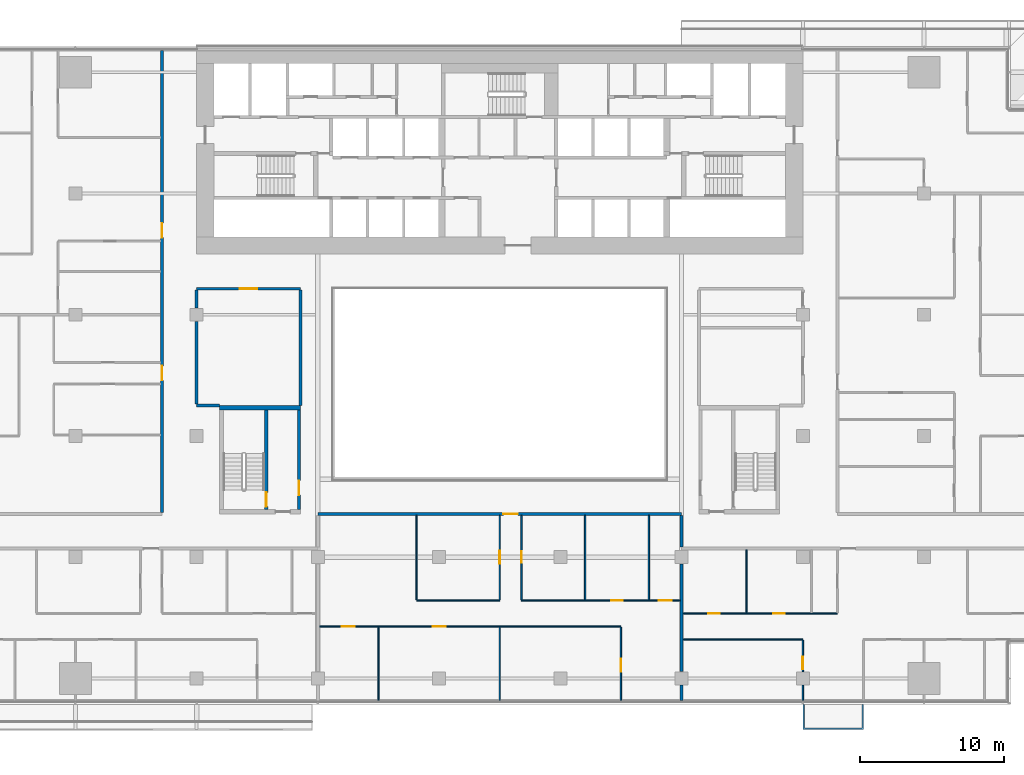
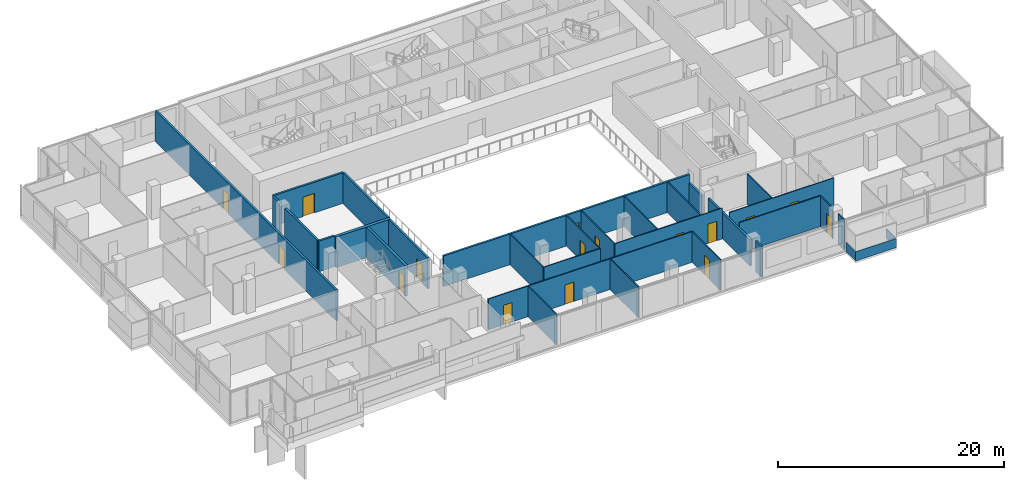
# One storey, part 18 of 29: 30 walls, 16 doors, 16 openings.
"""IFC4 building model written with IfcOpenShell, lengths in metres."""

import ifcopenshell
import ifcopenshell.guid

model = None  # the IFC model being written
_history = None  # IfcOwnerHistory: only IFC2X3 demands one
_inside = {}  # id of a spatial element -> (the spatial element, [elements in it])
_under = {}  # id of a project, library or spatial element -> (it, [spatial elements below it])
_declared = {}  # id of a project -> (the project, [libraries it declares])
_typed = {}  # id of a type object -> (the type object, [elements of that type])
_made_of = {}  # id of a material, layer set ... -> (it, [elements and type objects made of it])


def new_model(schema):
    """Start an empty IFC model of exactly this schema.

    Asked for "IFC4X3", IfcOpenShell would pick the latest addendum, in which some entities
    have other attributes; the version numbers below select the first issue.
    IFC2X3 requires an IfcOwnerHistory on every rooted entity: one is made here for all.
    """
    global model, _history
    if schema == "IFC4X3":
        model = ifcopenshell.file(schema_version=(4, 3, 0, 0))
    else:
        model = ifcopenshell.file(schema=schema)
    _inside.clear()
    _under.clear()
    _declared.clear()
    _typed.clear()
    _made_of.clear()
    _history = None
    if model.schema == "IFC2X3":
        org = make("IfcOrganization", Name="unknown")
        user = make(
            "IfcPersonAndOrganization",
            ThePerson=make("IfcPerson", FamilyName="unknown"),
            TheOrganization=org,
        )
        app = make(
            "IfcApplication",
            ApplicationDeveloper=org,
            Version="unknown",
            ApplicationFullName="unknown",
            ApplicationIdentifier="unknown",
        )
        _history = make(
            "IfcOwnerHistory",
            OwningUser=user,
            OwningApplication=app,
            ChangeAction="ADDED",
            CreationDate=0,
        )
    return model


def make(cls, **values):
    """One entity of the class cls with the attributes given. An attribute that is None is left unset."""
    return model.create_entity(
        cls, **{name: value for name, value in values.items() if value is not None}
    )


def rooted(cls, **values):
    """An entity with a GlobalId (a new one), such as an element, a storey or a relation."""
    return make(cls, GlobalId=ifcopenshell.guid.new(), OwnerHistory=_history, **values)


def si_unit(unit_type, name, prefix=None):
    """IfcSIUnit, for example si_unit("LENGTHUNIT", "METRE", prefix="MILLI")."""
    return make("IfcSIUnit", UnitType=unit_type, Prefix=prefix, Name=name)


def assignment(units):
    """IfcUnitAssignment: the units of a project."""
    return None if units is None else make("IfcUnitAssignment", Units=units)


def point(xyz):
    """IfcCartesianPoint."""
    return None if xyz is None else make("IfcCartesianPoint", Coordinates=xyz)


def direction(xyz):
    """IfcDirection."""
    return None if xyz is None else make("IfcDirection", DirectionRatios=xyz)


def frame(location, z_axis=None, x_axis=None):
    """IfcAxis2Placement3D, a coordinate frame: its origin and axes. An axis left out is left unset."""
    return make(
        "IfcAxis2Placement3D",
        Location=point(location),
        Axis=direction(z_axis),
        RefDirection=direction(x_axis),
    )


def frame_2d(location, x_axis=None):
    """IfcAxis2Placement2D, a coordinate frame in the plane: its origin and x axis."""
    return make(
        "IfcAxis2Placement2D", Location=point(location), RefDirection=direction(x_axis)
    )


def origin():
    """The frame at (0, 0, 0) with its axes left unset."""
    return frame((0.0, 0.0, 0.0))


def place(relative_to, where):
    """IfcLocalPlacement: puts the frame where relative to a parent placement (None: the world)."""
    return make(
        "IfcLocalPlacement", PlacementRelTo=relative_to, RelativePlacement=where
    )


def context(
    kind, dimensions, precision=None, world=None, true_north=None, identifier=None
):
    """IfcGeometricRepresentationContext, for example the 3D "Model" context."""
    return make(
        "IfcGeometricRepresentationContext",
        ContextIdentifier=identifier,
        ContextType=kind,
        CoordinateSpaceDimension=dimensions,
        Precision=precision,
        WorldCoordinateSystem=world,
        TrueNorth=true_north,
    )


def subcontext(parent, identifier, kind, view, scale=None):
    """IfcGeometricRepresentationSubContext, for example "Body" below "Model"."""
    return make(
        "IfcGeometricRepresentationSubContext",
        ContextIdentifier=identifier,
        ContextType=kind,
        ParentContext=parent,
        TargetScale=scale,
        TargetView=view,
    )


def project(units=None, contexts=None):
    """IfcProject with its units and contexts."""
    return rooted(
        "IfcProject",
        Name="project",
        RepresentationContexts=contexts,
        UnitsInContext=assignment(units),
    )


def spatial(cls, under=None, at=None, **own):
    """A site, building, storey or space (cls), placed at a placement, below another one or the project."""
    s = rooted(cls, ObjectPlacement=at, **own)
    if under is not None:
        _under.setdefault(under.id(), (under, []))[1].append(s)
    return s


def polyline(points):
    """IfcPolyline through the points."""
    return make("IfcPolyline", Points=[point(p) for p in points])


def profile(cls, at=None, kind="AREA", **sizes):
    """A parametric profile (cls). Its sizes go by their IFC names, for example OverallWidth=200.0."""
    return make(cls, ProfileType=kind, Position=at, **sizes)


def rectangle(**sizes):
    """IfcRectangleProfileDef."""
    return profile("IfcRectangleProfileDef", **sizes)


def outline(outer, holes=None, kind="AREA"):
    """IfcArbitraryClosedProfileDef: a profile drawn as a closed curve; with holes, ...WithVoids."""
    if holes is None:
        return make("IfcArbitraryClosedProfileDef", ProfileType=kind, OuterCurve=outer)
    return make(
        "IfcArbitraryProfileDefWithVoids",
        ProfileType=kind,
        OuterCurve=outer,
        InnerCurves=holes,
    )


def extrude(swept, where, along, depth):
    """IfcExtrudedAreaSolid: the profile swept, set in the frame where, extruded along a direction by depth."""
    return make(
        "IfcExtrudedAreaSolid",
        SweptArea=swept,
        Position=where,
        ExtrudedDirection=direction(along),
        Depth=depth,
    )


def shape(context_of_items, identifier, shape_type, items):
    """IfcShapeRepresentation: the items that make up one representation, for example the "Body"."""
    return make(
        "IfcShapeRepresentation",
        ContextOfItems=context_of_items,
        RepresentationIdentifier=identifier,
        RepresentationType=shape_type,
        Items=items,
    )


def material(Name=None, Category=None):
    """IfcMaterial."""
    return make("IfcMaterial", Name=Name, Category=Category)


def layer(
    of_material, thickness, ventilated=None, Name=None, Category=None, Priority=None
):
    """IfcMaterialLayer: one layer of a wall or slab, of a material (None: an air gap)."""
    return make(
        "IfcMaterialLayer",
        Material=of_material,
        LayerThickness=thickness,
        IsVentilated=ventilated,
        Name=Name,
        Category=Category,
        Priority=Priority,
    )


def layer_set(layers, Name=None):
    """IfcMaterialLayerSet."""
    return make("IfcMaterialLayerSet", MaterialLayers=layers, LayerSetName=Name)


def made_of(thing, what):
    """Note that an element or type object is made of a material, layer set ...; save() writes the relation."""
    if what is not None:
        _made_of.setdefault(what.id(), (what, []))[1].append(thing)
    return thing


def type_object(cls, material=None, **own):
    """A type object (cls), such as IfcWallType, which elements share."""
    return made_of(rooted(cls, **own), material)


def element(
    cls,
    number,
    at=None,
    inside=None,
    cuts=None,
    type_object=None,
    material=None,
    context=None,
    identifier="Body",
    shape_type=None,
    held_by="IfcProductDefinitionShape",
    body=None,
    shapes=None,
    **own,
):
    """One element of the class cls, such as IfcWall. Its Tag is "e" and its number.

    at: its placement. inside: the storey or other place that contains it. cuts: it is an
    opening in that element (IfcRelVoidsElement). A single representation is given by context,
    identifier, shape_type and body (its items); several are given by shapes. held_by: the class
    of the entity that holds the representations. save() writes the other relations.
    """
    e = rooted(cls, Tag="e%d" % number, ObjectPlacement=at, **own)
    if body is not None:
        shapes = [shape(context, identifier, shape_type, body)]
    if shapes is not None:
        e.Representation = make(held_by, Representations=shapes)
    if inside is not None:
        _inside.setdefault(inside.id(), (inside, []))[1].append(e)
    if cuts is not None:
        rooted(
            "IfcRelVoidsElement", RelatingBuildingElement=cuts, RelatedOpeningElement=e
        )
    if type_object is not None:
        _typed.setdefault(type_object.id(), (type_object, []))[1].append(e)
    return made_of(e, material)


def fill(opening, filler):
    """IfcRelFillsElement: the door or window that sits in an opening."""
    return rooted(
        "IfcRelFillsElement",
        RelatingOpeningElement=opening,
        RelatedBuildingElement=filler,
    )


def aggregate(whole, parts):
    """IfcRelAggregates: a whole, such as a stair, and the parts it consists of."""
    return rooted("IfcRelAggregates", RelatingObject=whole, RelatedObjects=parts)


def save(model, path):
    """Write the relations noted so far, then the file.

    IfcRelAggregates (storeys below a building ...), IfcRelContainedInSpatialStructure (elements
    in a storey), IfcRelDefinesByType, IfcRelAssociatesMaterial and IfcRelDeclares: one each for
    every whole, place, type object, material and project.
    """
    for whole, parts in _under.values():
        aggregate(whole, parts)
    for where, things in _inside.values():
        rooted(
            "IfcRelContainedInSpatialStructure",
            RelatedElements=things,
            RelatingStructure=where,
        )
    for kind, things in _typed.values():
        rooted("IfcRelDefinesByType", RelatedObjects=things, RelatingType=kind)
    for what, things in _made_of.values():
        rooted("IfcRelAssociatesMaterial", RelatedObjects=things, RelatingMaterial=what)
    for by, libraries in _declared.values():
        rooted("IfcRelDeclares", RelatingContext=by, RelatedDefinitions=libraries)
    model.write(path)


model = new_model("IFC4")

# Units and contexts
model_context = context("Model", 3, precision=1e-05, world=origin(), true_north=direction((0.0, 1.0)))
body_context = subcontext(model_context, "Body", "Model", "MODEL_VIEW")
ifc_project = project(units=[si_unit("LENGTHUNIT", "METRE"), si_unit("AREAUNIT", "SQUARE_METRE"), si_unit("VOLUMEUNIT", "CUBIC_METRE"), si_unit("PLANEANGLEUNIT", "RADIAN"), si_unit("MASSUNIT", "GRAM", prefix="KILO")], contexts=[model_context])

# Site, building, storey
site_placement = place(None, origin())
site = spatial("IfcSite", under=ifc_project, at=site_placement, CompositionType="ELEMENT")
building_placement = place(site_placement, origin())
building = spatial("IfcBuilding", under=site, at=building_placement, Name="Saffron Gate Tower", CompositionType="ELEMENT")
storey_placement = place(building_placement, frame((0.0, 0.0, 58.800048828125)))
storey = spatial("IfcBuildingStorey", under=building, at=storey_placement, Name="L13", CompositionType="ELEMENT", Elevation=58.800048828125)

# Wall, opening, door
ifc_material_1 = material(Name="Gypsum board partition on steel studs", Category="steel")
ifc_layer_1 = layer(ifc_material_1, 0.199951171875)
ifc_layer_set_1 = layer_set([ifc_layer_1], Name="CW10 Core partition 200")
wall_type_1 = type_object("IfcWallType", Name="CW10 Core partition 200", PredefinedType="PARTITIONING", material=ifc_layer_set_1)
wall_1_placement = place(storey_placement, frame((73.699951171875, 43.5, 0.0), z_axis=(0.0, 0.0, 1.0), x_axis=(0.0, 1.0, 0.0)))
wall_1 = element("IfcWall", 1, at=wall_1_placement, inside=storey, type_object=wall_type_1, Name="Wall CW10-L13-D-4", PredefinedType="PARTITIONING", context=body_context, shape_type="SweptSolid", body=[
    extrude(rectangle(XDim=6.89990234375, YDim=0.199951171875, at=frame_2d((3.449951171875, 0.0))), origin(), (0.0, 0.0, 1.0), 3.320068359375),
])
opening_1_placement = place(wall_1_placement, frame((1.0, 0.0, 0.0)))
opening_1 = element("IfcOpeningElement", 2, at=opening_1_placement, cuts=wall_1, Name="Opening CR-19", PredefinedType="OPENING", context=body_context, shape_type="SweptSolid", body=[
    extrude(rectangle(XDim=1.0, YDim=2.10009765625, at=frame_2d((0.5, 1.050048828125))), frame((0.0, 0.10986328125, 0.0), z_axis=(0.0, -1.0, 0.0), x_axis=(1.0, 0.0, 0.0)), (0.0, 0.0, 1.0), 0.219970703125),
])
ifc_material_2 = material(Name="Steel fire door set", Category="steel")
door_type_1 = type_object("IfcDoorType", Name="CD4 Lobby door 1000x2100 EI 120", OperationType="NOTDEFINED", PredefinedType="DOOR", material=ifc_material_2)
door_1_placement = place(opening_1_placement, origin())
door_1 = element("IfcDoor", 3, at=door_1_placement, inside=storey, type_object=door_type_1, Name="DOOR CR-19", OperationType="SINGLE_SWING_RIGHT", OverallHeight=2.10009765625, OverallWidth=1.0, PredefinedType="DOOR", context=body_context, shape_type="SweptSolid", body=[
    extrude(rectangle(XDim=1.0, YDim=2.10009765625, at=frame_2d((0.5, 1.050048828125))), frame((0.0, 0.02490234375, 0.0), z_axis=(0.0, -1.0, 0.0), x_axis=(1.0, 0.0, 0.0)), (0.0, 0.0, 1.0), 0.050048828125),
])
fill(opening_1, door_1)

ifc_material_3 = material(Name="Concrete C70", Category="concrete")
ifc_layer_2 = layer(ifc_material_3, 0.25)
ifc_layer_set_2 = layer_set([ifc_layer_2], Name="CW2 RC core wall 250 C70")
wall_type_2 = type_object("IfcWallType", Name="CW2 RC core wall 250 C70", PredefinedType="SOLIDWALL", material=ifc_layer_set_2)
wall_2_placement = place(storey_placement, frame((71.425048828125, 43.5, 0.0), z_axis=(0.0, 0.0, 1.0), x_axis=(0.0, 1.0, 0.0)))
wall_2 = element("IfcWall", 4, at=wall_2_placement, inside=storey, type_object=wall_type_2, Name="Wall CW2-L13-D-3", PredefinedType="SOLIDWALL", context=body_context, shape_type="SweptSolid", body=[
    extrude(rectangle(XDim=6.89990234375, YDim=0.25, at=frame_2d((3.449951171875, 0.0))), origin(), (0.0, 0.0, 1.0), 3.320068359375),
])
opening_2_placement = place(wall_2_placement, frame((0.199951171875, 0.0, 0.0)))
opening_2 = element("IfcOpeningElement", 5, at=opening_2_placement, cuts=wall_2, Name="Opening CR-20", PredefinedType="OPENING", context=body_context, shape_type="SweptSolid", body=[
    extrude(rectangle(XDim=1.0, YDim=2.10009765625, at=frame_2d((0.5, 1.050048828125))), frame((0.0, 0.135009765625, 0.0), z_axis=(0.0, -1.0, 0.0), x_axis=(1.0, 0.0, 0.0)), (0.0, 0.0, 1.0), 0.27001953125),
])
door_type_2 = type_object("IfcDoorType", Name="CD5 Stair door 1000x2100 EI 120", OperationType="NOTDEFINED", PredefinedType="DOOR", material=ifc_material_2)
door_2_placement = place(opening_2_placement, origin())
door_2 = element("IfcDoor", 6, at=door_2_placement, inside=storey, type_object=door_type_2, Name="DOOR CR-20", OperationType="SINGLE_SWING_LEFT", OverallHeight=2.10009765625, OverallWidth=1.0, PredefinedType="DOOR", context=body_context, shape_type="SweptSolid", body=[
    extrude(rectangle(XDim=1.0, YDim=2.10009765625, at=frame_2d((0.5, 1.050048828125))), frame((0.0, 0.02490234375, 0.0), z_axis=(0.0, -1.0, 0.0), x_axis=(1.0, 0.0, 0.0)), (0.0, 0.0, 1.0), 0.050048828125),
])
fill(opening_2, door_2)

# Walls
ifc_layer_3 = layer(ifc_material_3, 0.300048828125)
ifc_layer_set_3 = layer_set([ifc_layer_3], Name="CW5 RC core wall 300 C70")
wall_type_3 = type_object("IfcWallType", Name="CW5 RC core wall 300 C70", PredefinedType="SOLIDWALL", material=ifc_layer_set_3)
wall_3_placement = place(storey_placement, frame((68.199951171875, 50.550048828125, 0.0), z_axis=(0.0, 0.0, 1.0), x_axis=(1.0, 0.0, 0.0)))
element("IfcWall", 7, at=wall_3_placement, inside=storey, type_object=wall_type_3, Name="Wall CW5-L13-D-5", PredefinedType="SOLIDWALL", context=body_context, shape_type="SweptSolid", body=[
    extrude(rectangle(XDim=5.60009765625, YDim=0.300048828125, at=frame_2d((2.800048828125, 0.0))), origin(), (0.0, 0.0, 1.0), 3.320068359375),
])
ifc_material_4 = material(Name="Plasterboard on steel studs", Category="steel")
ifc_layer_4 = layer(ifc_material_4, 0.10009765625)
ifc_layer_set_4 = layer_set([ifc_layer_4], Name="PW1 Partition 100")
wall_type_4 = type_object("IfcWallType", Name="PW1 Partition 100", PredefinedType="PARTITIONING", material=ifc_layer_set_4)
wall_4_placement = place(storey_placement, frame((100.300048828125, 34.5, 0.0), z_axis=(0.0, 0.0, 1.0), x_axis=(1.0, 0.0, 0.0)))
element("IfcWall", 8, at=wall_4_placement, inside=storey, type_object=wall_type_4, Name="Partition A3-2", PredefinedType="PARTITIONING", context=body_context, shape_type="SweptSolid", body=[
    extrude(rectangle(XDim=8.300048828125, YDim=0.10009765625, at=frame_2d((4.14990234375, 0.0))), origin(), (0.0, 0.0, 1.0), 3.320068359375),
])

# Wall, openings, doors
wall_5_placement = place(storey_placement, frame((96.0, 35.39990234375, 0.0), z_axis=(0.0, 0.0, 1.0), x_axis=(-1.0, 0.0, 0.0)))
wall_5 = element("IfcWall", 9, at=wall_5_placement, inside=storey, type_object=wall_type_4, Name="Partition A3-4", PredefinedType="PARTITIONING", context=body_context, shape_type="SweptSolid", body=[
    extrude(rectangle(XDim=20.89990234375, YDim=0.10009765625, at=frame_2d((10.449951171875, 0.0))), origin(), (0.0, 0.0, 1.0), 3.320068359375),
])
opening_3_placement = place(wall_5_placement, frame((12.14990234375, 0.0, 0.0)))
opening_3 = element("IfcOpeningElement", 10, at=opening_3_placement, cuts=wall_5, Name="Opening A3-15", PredefinedType="OPENING", context=body_context, shape_type="SweptSolid", body=[
    extrude(rectangle(XDim=0.89990234375, YDim=2.10009765625, at=frame_2d((0.449951171875, 1.050048828125))), frame((0.0, 0.06005859375, 0.0), z_axis=(0.0, -1.0, 0.0), x_axis=(1.0, 0.0, 0.0)), (0.0, 0.0, 1.0), 0.1201171875),
])
opening_4_placement = place(wall_5_placement, frame((18.449951171875, 0.0, 0.0)))
opening_4 = element("IfcOpeningElement", 11, at=opening_4_placement, cuts=wall_5, Name="Opening A3-14", PredefinedType="OPENING", context=body_context, shape_type="SweptSolid", body=[
    extrude(rectangle(XDim=0.89990234375, YDim=2.10009765625, at=frame_2d((0.449951171875, 1.050048828125))), frame((0.0, 0.06005859375, 0.0), z_axis=(0.0, -1.0, 0.0), x_axis=(1.0, 0.0, 0.0)), (0.0, 0.0, 1.0), 0.1201171875),
])
ifc_material_5 = material(Name="Timber door set", Category="wood")
door_type_3 = type_object("IfcDoorType", Name="RD1 Room door 900x2100", OperationType="NOTDEFINED", PredefinedType="DOOR", material=ifc_material_5)
door_3_placement = place(opening_3_placement, origin())
door_3 = element("IfcDoor", 12, at=door_3_placement, inside=storey, type_object=door_type_3, Name="Door A3-15", OperationType="SINGLE_SWING_LEFT", OverallHeight=2.10009765625, OverallWidth=0.89990234375, PredefinedType="DOOR", context=body_context, shape_type="SweptSolid", body=[
    extrude(rectangle(XDim=0.89990234375, YDim=2.10009765625, at=frame_2d((0.449951171875, 1.050048828125))), frame((0.0, 0.02490234375, 0.0), z_axis=(0.0, -1.0, 0.0), x_axis=(1.0, 0.0, 0.0)), (0.0, 0.0, 1.0), 0.050048828125),
])
fill(opening_3, door_3)
door_4_placement = place(opening_4_placement, origin())
door_4 = element("IfcDoor", 13, at=door_4_placement, inside=storey, type_object=door_type_3, Name="Door A3-14", OperationType="SINGLE_SWING_RIGHT", OverallHeight=2.10009765625, OverallWidth=0.89990234375, PredefinedType="DOOR", context=body_context, shape_type="SweptSolid", body=[
    extrude(rectangle(XDim=0.89990234375, YDim=2.10009765625, at=frame_2d((0.449951171875, 1.050048828125))), frame((0.0, 0.02490234375, 0.0), z_axis=(0.0, -1.0, 0.0), x_axis=(1.0, 0.0, 0.0)), (0.0, 0.0, 1.0), 0.050048828125),
])
fill(opening_4, door_4)

wall_6_placement = place(storey_placement, frame((100.300048828125, 36.300048828125, 0.0), z_axis=(0.0, 0.0, 1.0), x_axis=(1.0, 0.0, 0.0)))
wall_6 = element("IfcWall", 14, at=wall_6_placement, inside=storey, type_object=wall_type_4, Name="Partition A3-7", PredefinedType="PARTITIONING", context=body_context, shape_type="SweptSolid", body=[
    extrude(rectangle(XDim=10.699951171875, YDim=0.10009765625, at=frame_2d((5.35009765625, 0.0))), origin(), (0.0, 0.0, 1.0), 3.320068359375),
])
opening_5_placement = place(wall_6_placement, frame((1.75, 0.0, 0.0)))
opening_5 = element("IfcOpeningElement", 15, at=opening_5_placement, cuts=wall_6, Name="Opening A3-41", PredefinedType="OPENING", context=body_context, shape_type="SweptSolid", body=[
    extrude(rectangle(XDim=0.800048828125, YDim=2.10009765625, at=frame_2d((0.39990234375, 1.050048828125))), frame((0.0, 0.06005859375, 0.0), z_axis=(0.0, -1.0, 0.0), x_axis=(1.0, 0.0, 0.0)), (0.0, 0.0, 1.0), 0.1201171875),
])
opening_6_placement = place(wall_6_placement, frame((6.25, 0.0, 0.0)))
opening_6 = element("IfcOpeningElement", 16, at=opening_6_placement, cuts=wall_6, Name="Opening A3-42", PredefinedType="OPENING", context=body_context, shape_type="SweptSolid", body=[
    extrude(rectangle(XDim=0.800048828125, YDim=2.10009765625, at=frame_2d((0.39990234375, 1.050048828125))), frame((0.0, 0.06005859375, 0.0), z_axis=(0.0, -1.0, 0.0), x_axis=(1.0, 0.0, 0.0)), (0.0, 0.0, 1.0), 0.1201171875),
])
door_type_4 = type_object("IfcDoorType", Name="RD2 Bathroom door 800x2100", OperationType="NOTDEFINED", PredefinedType="DOOR", material=ifc_material_5)
door_5_placement = place(opening_5_placement, origin())
door_5 = element("IfcDoor", 17, at=door_5_placement, inside=storey, type_object=door_type_4, Name="Door A3-41", OperationType="SINGLE_SWING_LEFT", OverallHeight=2.10009765625, OverallWidth=0.800048828125, PredefinedType="DOOR", context=body_context, shape_type="SweptSolid", body=[
    extrude(rectangle(XDim=0.800048828125, YDim=2.10009765625, at=frame_2d((0.39990234375, 1.050048828125))), frame((0.0, 0.02490234375, 0.0), z_axis=(0.0, -1.0, 0.0), x_axis=(1.0, 0.0, 0.0)), (0.0, 0.0, 1.0), 0.050048828125),
])
fill(opening_5, door_5)
door_6_placement = place(opening_6_placement, origin())
door_6 = element("IfcDoor", 18, at=door_6_placement, inside=storey, type_object=door_type_4, Name="Door A3-42", OperationType="SINGLE_SWING_RIGHT", OverallHeight=2.10009765625, OverallWidth=0.800048828125, PredefinedType="DOOR", context=body_context, shape_type="SweptSolid", body=[
    extrude(rectangle(XDim=0.800048828125, YDim=2.10009765625, at=frame_2d((0.39990234375, 1.050048828125))), frame((0.0, 0.02490234375, 0.0), z_axis=(0.0, -1.0, 0.0), x_axis=(1.0, 0.0, 0.0)), (0.0, 0.0, 1.0), 0.050048828125),
])
fill(opening_6, door_6)

# Wall
wall_7_placement = place(storey_placement, frame((81.833251953125, 37.199951171875, 0.0), z_axis=(0.0, 0.0, 1.0), x_axis=(1.0, 0.0, 0.0)))
element("IfcWall", 19, at=wall_7_placement, inside=storey, type_object=wall_type_4, Name="Partition A3-9", PredefinedType="PARTITIONING", context=body_context, shape_type="SweptSolid", body=[
    extrude(rectangle(XDim=5.766845703125, YDim=0.10009765625, at=frame_2d((2.88330078125, 0.0))), origin(), (0.0, 0.0, 1.0), 3.320068359375),
])

# Wall, openings, doors
wall_8_placement = place(storey_placement, frame((89.10009765625, 37.199951171875, 0.0), z_axis=(0.0, 0.0, 1.0), x_axis=(1.0, 0.0, 0.0)))
wall_8 = element("IfcWall", 20, at=wall_8_placement, inside=storey, type_object=wall_type_4, Name="Partition A3-10", PredefinedType="PARTITIONING", context=body_context, shape_type="SweptSolid", body=[
    extrude(rectangle(XDim=11.0, YDim=0.10009765625, at=frame_2d((5.5, 0.0))), origin(), (0.0, 0.0, 1.0), 3.320068359375),
])
opening_7_placement = place(wall_8_placement, frame((6.22509765625, 0.0, 0.0)))
opening_7 = element("IfcOpeningElement", 21, at=opening_7_placement, cuts=wall_8, Name="Opening A3-40", PredefinedType="OPENING", context=body_context, shape_type="SweptSolid", body=[
    extrude(rectangle(XDim=0.800048828125, YDim=2.10009765625, at=frame_2d((0.39990234375, 1.050048828125))), frame((0.0, 0.06005859375, 0.0), z_axis=(0.0, -1.0, 0.0), x_axis=(1.0, 0.0, 0.0)), (0.0, 0.0, 1.0), 0.1201171875),
])
opening_8_placement = place(wall_8_placement, frame((9.5166015625, 0.0, 0.0)))
opening_8 = element("IfcOpeningElement", 22, at=opening_8_placement, cuts=wall_8, Name="Opening A3-18", PredefinedType="OPENING", context=body_context, shape_type="SweptSolid", body=[
    extrude(rectangle(XDim=0.89990234375, YDim=2.10009765625, at=frame_2d((0.449951171875, 1.050048828125))), frame((0.0, 0.06005859375, 0.0), z_axis=(0.0, -1.0, 0.0), x_axis=(1.0, 0.0, 0.0)), (0.0, 0.0, 1.0), 0.1201171875),
])
door_7_placement = place(opening_8_placement, origin())
door_7 = element("IfcDoor", 23, at=door_7_placement, inside=storey, type_object=door_type_3, Name="Door A3-18", OperationType="SINGLE_SWING_RIGHT", OverallHeight=2.10009765625, OverallWidth=0.89990234375, PredefinedType="DOOR", context=body_context, shape_type="SweptSolid", body=[
    extrude(rectangle(XDim=0.89990234375, YDim=2.10009765625, at=frame_2d((0.449951171875, 1.050048828125))), frame((0.0, 0.02490234375, 0.0), z_axis=(0.0, -1.0, 0.0), x_axis=(1.0, 0.0, 0.0)), (0.0, 0.0, 1.0), 0.050048828125),
])
fill(opening_8, door_7)
door_8_placement = place(opening_7_placement, origin())
door_8 = element("IfcDoor", 24, at=door_8_placement, inside=storey, type_object=door_type_4, Name="Door A3-40", OperationType="SINGLE_SWING_RIGHT", OverallHeight=2.10009765625, OverallWidth=0.800048828125, PredefinedType="DOOR", context=body_context, shape_type="SweptSolid", body=[
    extrude(rectangle(XDim=0.800048828125, YDim=2.10009765625, at=frame_2d((0.39990234375, 1.050048828125))), frame((0.0, 0.02490234375, 0.0), z_axis=(0.0, -1.0, 0.0), x_axis=(1.0, 0.0, 0.0)), (0.0, 0.0, 1.0), 0.050048828125),
])
fill(opening_7, door_8)

# Walls
wall_9_placement = place(storey_placement, frame((79.199951171875, 35.35009765625, 0.0), z_axis=(0.0, 0.0, 1.0), x_axis=(0.0, -1.0, 0.0)))
element("IfcWall", 25, at=wall_9_placement, inside=storey, type_object=wall_type_4, Name="Partition A3-74", PredefinedType="PARTITIONING", context=body_context, shape_type="SweptSolid", body=[
    extrude(rectangle(XDim=5.070068359375, YDim=0.10009765625, at=frame_2d((2.53515625, 0.0))), origin(), (0.0, 0.0, 1.0), 3.320068359375),
])
wall_10_placement = place(storey_placement, frame((81.833251953125, 43.10009765625, 0.0), z_axis=(0.0, 0.0, 1.0), x_axis=(0.0, -1.0, 0.0)))
element("IfcWall", 26, at=wall_10_placement, inside=storey, type_object=wall_type_4, Name="Partition A3-75", PredefinedType="PARTITIONING", context=body_context, shape_type="SweptSolid", body=[
    extrude(rectangle(XDim=5.85009765625, YDim=0.10009765625, at=frame_2d((2.925048828125, 0.0))), origin(), (0.0, 0.0, 1.0), 3.320068359375),
])
wall_11_placement = place(storey_placement, frame((87.60009765625, 35.35009765625, 0.0), z_axis=(0.0, 0.0, 1.0), x_axis=(0.0, -1.0, 0.0)))
element("IfcWall", 27, at=wall_11_placement, inside=storey, type_object=wall_type_4, Name="Partition A3-76", PredefinedType="PARTITIONING", context=body_context, shape_type="SweptSolid", body=[
    extrude(rectangle(XDim=5.070068359375, YDim=0.10009765625, at=frame_2d((2.53515625, 0.0))), origin(), (0.0, 0.0, 1.0), 3.320068359375),
])

# Wall, opening, door
wall_12_placement = place(storey_placement, frame((87.60009765625, 37.25, 0.0), z_axis=(0.0, 0.0, 1.0), x_axis=(0.0, 1.0, 0.0)))
wall_12 = element("IfcWall", 28, at=wall_12_placement, inside=storey, type_object=wall_type_4, Name="Partition A3-77", PredefinedType="PARTITIONING", context=body_context, shape_type="SweptSolid", body=[
    extrude(rectangle(XDim=5.85009765625, YDim=0.10009765625, at=frame_2d((2.925048828125, 0.0))), origin(), (0.0, 0.0, 1.0), 3.320068359375),
])
opening_9_placement = place(wall_12_placement, frame((2.5, 0.0, 0.0)))
opening_9 = element("IfcOpeningElement", 29, at=opening_9_placement, cuts=wall_12, Name="Opening A3-17", PredefinedType="OPENING", context=body_context, shape_type="SweptSolid", body=[
    extrude(rectangle(XDim=0.89990234375, YDim=2.10009765625, at=frame_2d((0.449951171875, 1.050048828125))), frame((0.0, 0.06005859375, 0.0), z_axis=(0.0, -1.0, 0.0), x_axis=(1.0, 0.0, 0.0)), (0.0, 0.0, 1.0), 0.1201171875),
])
door_9_placement = place(opening_9_placement, origin())
door_9 = element("IfcDoor", 30, at=door_9_placement, inside=storey, type_object=door_type_3, Name="Door A3-17", OperationType="SINGLE_SWING_RIGHT", OverallHeight=2.10009765625, OverallWidth=0.89990234375, PredefinedType="DOOR", context=body_context, shape_type="SweptSolid", body=[
    extrude(rectangle(XDim=0.89990234375, YDim=2.10009765625, at=frame_2d((0.449951171875, 1.050048828125))), frame((0.0, 0.02490234375, 0.0), z_axis=(0.0, -1.0, 0.0), x_axis=(1.0, 0.0, 0.0)), (0.0, 0.0, 1.0), 0.050048828125),
])
fill(opening_9, door_9)

wall_13_placement = place(storey_placement, frame((89.10009765625, 43.10009765625, 0.0), z_axis=(0.0, 0.0, 1.0), x_axis=(0.0, -1.0, 0.0)))
wall_13 = element("IfcWall", 31, at=wall_13_placement, inside=storey, type_object=wall_type_4, Name="Partition A3-78", PredefinedType="PARTITIONING", context=body_context, shape_type="SweptSolid", body=[
    extrude(rectangle(XDim=5.85009765625, YDim=0.10009765625, at=frame_2d((2.925048828125, 0.0))), origin(), (0.0, 0.0, 1.0), 3.320068359375),
])
opening_10_placement = place(wall_13_placement, frame((2.5, 0.0, 0.0)))
opening_10 = element("IfcOpeningElement", 32, at=opening_10_placement, cuts=wall_13, Name="Opening A3-39", PredefinedType="OPENING", context=body_context, shape_type="SweptSolid", body=[
    extrude(rectangle(XDim=0.800048828125, YDim=2.10009765625, at=frame_2d((0.39990234375, 1.050048828125))), frame((0.0, 0.06005859375, 0.0), z_axis=(0.0, -1.0, 0.0), x_axis=(1.0, 0.0, 0.0)), (0.0, 0.0, 1.0), 0.1201171875),
])
door_10_placement = place(opening_10_placement, origin())
door_10 = element("IfcDoor", 33, at=door_10_placement, inside=storey, type_object=door_type_4, Name="Door A3-39", OperationType="SINGLE_SWING_LEFT", OverallHeight=2.10009765625, OverallWidth=0.800048828125, PredefinedType="DOOR", context=body_context, shape_type="SweptSolid", body=[
    extrude(rectangle(XDim=0.800048828125, YDim=2.10009765625, at=frame_2d((0.39990234375, 1.050048828125))), frame((0.0, 0.02490234375, 0.0), z_axis=(0.0, -1.0, 0.0), x_axis=(1.0, 0.0, 0.0)), (0.0, 0.0, 1.0), 0.050048828125),
])
fill(opening_10, door_10)

# Wall
wall_14_placement = place(storey_placement, frame((93.5166015625, 43.10009765625, 0.0), z_axis=(0.0, 0.0, 1.0), x_axis=(0.0, -1.0, 0.0)))
element("IfcWall", 34, at=wall_14_placement, inside=storey, type_object=wall_type_4, Name="Partition A3-79", PredefinedType="PARTITIONING", context=body_context, shape_type="SweptSolid", body=[
    extrude(rectangle(XDim=5.85009765625, YDim=0.10009765625, at=frame_2d((2.925048828125, 0.0))), origin(), (0.0, 0.0, 1.0), 3.320068359375),
])

# Wall, opening, door
wall_15_placement = place(storey_placement, frame((96.0, 30.280029296875, 0.0), z_axis=(0.0, 0.0, 1.0), x_axis=(0.0, 1.0, 0.0)))
wall_15 = element("IfcWall", 35, at=wall_15_placement, inside=storey, type_object=wall_type_4, Name="Partition A3-80", PredefinedType="PARTITIONING", context=body_context, shape_type="SweptSolid", body=[
    extrude(rectangle(XDim=5.070068359375, YDim=0.10009765625, at=frame_2d((2.53515625, 0.0))), origin(), (0.0, 0.0, 1.0), 3.320068359375),
])
opening_11_placement = place(wall_15_placement, frame((1.969970703125, 0.0, 0.0)))
opening_11 = element("IfcOpeningElement", 36, at=opening_11_placement, cuts=wall_15, Name="Opening A3-16", PredefinedType="OPENING", context=body_context, shape_type="SweptSolid", body=[
    extrude(rectangle(XDim=0.89990234375, YDim=2.10009765625, at=frame_2d((0.449951171875, 1.050048828125))), frame((0.0, 0.06005859375, 0.0), z_axis=(0.0, -1.0, 0.0), x_axis=(1.0, 0.0, 0.0)), (0.0, 0.0, 1.0), 0.1201171875),
])
door_11_placement = place(opening_11_placement, origin())
door_11 = element("IfcDoor", 37, at=door_11_placement, inside=storey, type_object=door_type_3, Name="Door A3-16", OperationType="SINGLE_SWING_LEFT", OverallHeight=2.10009765625, OverallWidth=0.89990234375, PredefinedType="DOOR", context=body_context, shape_type="SweptSolid", body=[
    extrude(rectangle(XDim=0.89990234375, YDim=2.10009765625, at=frame_2d((0.449951171875, 1.050048828125))), frame((0.0, 0.02490234375, 0.0), z_axis=(0.0, -1.0, 0.0), x_axis=(1.0, 0.0, 0.0)), (0.0, 0.0, 1.0), 0.050048828125),
])
fill(opening_11, door_11)

# Walls
wall_16_placement = place(storey_placement, frame((97.933349609375, 43.10009765625, 0.0), z_axis=(0.0, 0.0, 1.0), x_axis=(0.0, -1.0, 0.0)))
element("IfcWall", 38, at=wall_16_placement, inside=storey, type_object=wall_type_4, Name="Partition A3-81", PredefinedType="PARTITIONING", context=body_context, shape_type="SweptSolid", body=[
    extrude(rectangle(XDim=5.85009765625, YDim=0.10009765625, at=frame_2d((2.925048828125, 0.0))), origin(), (0.0, 0.0, 1.0), 3.320068359375),
])
wall_17_placement = place(storey_placement, frame((104.699951171875, 40.699951171875, 0.0), z_axis=(0.0, 0.0, 1.0), x_axis=(0.0, -1.0, 0.0)))
element("IfcWall", 39, at=wall_17_placement, inside=storey, type_object=wall_type_4, Name="Partition A3-86", PredefinedType="PARTITIONING", context=body_context, shape_type="SweptSolid", body=[
    extrude(rectangle(XDim=4.349853515625, YDim=0.10009765625, at=frame_2d((2.1748046875, 0.0))), origin(), (0.0, 0.0, 1.0), 3.320068359375),
])
wall_18_placement = place(storey_placement, frame((108.60009765625, 31.330078125, 0.0), z_axis=(0.0, 0.0, 1.0), x_axis=(0.0, -1.0, 0.0)))
element("IfcWall", 40, at=wall_18_placement, inside=storey, type_object=wall_type_4, Name="Partition A3-89", PredefinedType="PARTITIONING", context=body_context, shape_type="SweptSolid", body=[
    extrude(rectangle(XDim=1.050048828125, YDim=0.10009765625, at=frame_2d((0.52490234375, 0.0))), origin(), (0.0, 0.0, 1.0), 3.320068359375),
])

# Wall, opening, door
wall_19_placement = place(storey_placement, frame((108.60009765625, 32.27001953125, 0.0), z_axis=(0.0, 0.0, 1.0), x_axis=(0.0, 1.0, 0.0)))
wall_19 = element("IfcWall", 41, at=wall_19_placement, inside=storey, type_object=wall_type_4, Name="Partition A3-90", PredefinedType="PARTITIONING", context=body_context, shape_type="SweptSolid", body=[
    extrude(rectangle(XDim=2.179931640625, YDim=0.10009765625, at=frame_2d((1.08984375, 0.0))), origin(), (0.0, 0.0, 1.0), 3.320068359375),
])
opening_12_placement = place(wall_19_placement, frame((0.14990234375, 0.0, 0.0)))
opening_12 = element("IfcOpeningElement", 42, at=opening_12_placement, cuts=wall_19, Name="Opening A3-19", PredefinedType="OPENING", context=body_context, shape_type="SweptSolid", body=[
    extrude(rectangle(XDim=0.89990234375, YDim=2.10009765625, at=frame_2d((0.449951171875, 1.050048828125))), frame((0.0, 0.06005859375, 0.0), z_axis=(0.0, -1.0, 0.0), x_axis=(1.0, 0.0, 0.0)), (0.0, 0.0, 1.0), 0.1201171875),
])
door_12_placement = place(opening_12_placement, origin())
door_12 = element("IfcDoor", 43, at=door_12_placement, inside=storey, type_object=door_type_3, Name="Door A3-19", OperationType="SINGLE_SWING_LEFT", OverallHeight=2.10009765625, OverallWidth=0.89990234375, PredefinedType="DOOR", context=body_context, shape_type="SweptSolid", body=[
    extrude(rectangle(XDim=0.89990234375, YDim=2.10009765625, at=frame_2d((0.449951171875, 1.050048828125))), frame((0.0, 0.02490234375, 0.0), z_axis=(0.0, -1.0, 0.0), x_axis=(1.0, 0.0, 0.0)), (0.0, 0.0, 1.0), 0.050048828125),
])
fill(opening_12, door_12)

# Walls
ifc_material_6 = material(Name="Clay brick masonry, rendered", Category="masonry")
ifc_layer_5 = layer(ifc_material_6, 0.199951171875)
ifc_layer_set_5 = layer_set([ifc_layer_5], Name="PW2 Demising wall 200")
wall_type_5 = type_object("IfcWallType", Name="PW2 Demising wall 200", PredefinedType="PARTITIONING", material=ifc_layer_set_5)
wall_20_placement = place(storey_placement, frame((100.199951171875, 31.330078125, 0.0), z_axis=(0.0, 0.0, 1.0), x_axis=(0.0, -1.0, 0.0)))
element("IfcWall", 44, at=wall_20_placement, inside=storey, type_object=wall_type_5, Name="Wall A3-83", PredefinedType="PARTITIONING", context=body_context, shape_type="SweptSolid", body=[
    extrude(rectangle(XDim=1.050048828125, YDim=0.199951171875, at=frame_2d((0.52490234375, 0.0))), origin(), (0.0, 0.0, 1.0), 3.320068359375),
])
wall_21_placement = place(storey_placement, frame((100.199951171875, 39.72998046875, 0.0), z_axis=(0.0, 0.0, 1.0), x_axis=(0.0, -1.0, 0.0)))
element("IfcWall", 45, at=wall_21_placement, inside=storey, type_object=wall_type_5, Name="Wall A3-84", PredefinedType="PARTITIONING", context=body_context, shape_type="SweptSolid", body=[
    extrude(rectangle(XDim=7.4599609375, YDim=0.199951171875, at=frame_2d((3.72998046875, 0.0))), origin(), (0.0, 0.0, 1.0), 2.829833984375),
])

# Wall, opening, door
ifc_layer_6 = layer(ifc_material_6, 0.199951171875)
ifc_layer_set_6 = layer_set([ifc_layer_6], Name="PW3 Corridor wall 200")
wall_type_6 = type_object("IfcWallType", Name="PW3 Corridor wall 200", PredefinedType="PARTITIONING", material=ifc_layer_set_6)
wall_22_placement = place(storey_placement, frame((100.199951171875, 43.199951171875, 0.0), z_axis=(0.0, 0.0, 1.0), x_axis=(-1.0, 0.0, 0.0)))
wall_22 = element("IfcWall", 46, at=wall_22_placement, inside=storey, type_object=wall_type_6, Name="Wall A3-16", PredefinedType="PARTITIONING", context=body_context, shape_type="SweptSolid", body=[
    extrude(rectangle(XDim=25.199951171875, YDim=0.199951171875, at=frame_2d((12.60009765625, 0.0))), origin(), (0.0, 0.0, 1.0), 3.320068359375),
])
opening_13_placement = place(wall_22_placement, frame((11.35009765625, 0.0, 0.0)))
opening_13 = element("IfcOpeningElement", 47, at=opening_13_placement, cuts=wall_22, Name="Opening A3-2", PredefinedType="OPENING", context=body_context, shape_type="SweptSolid", body=[
    extrude(rectangle(XDim=1.0, YDim=2.10009765625, at=frame_2d((0.5, 1.050048828125))), frame((0.0, 0.10986328125, 0.0), z_axis=(0.0, -1.0, 0.0), x_axis=(1.0, 0.0, 0.0)), (0.0, 0.0, 1.0), 0.219970703125),
])
ifc_material_7 = material(Name="Timber fire door set", Category="wood")
door_type_5 = type_object("IfcDoorType", Name="FD1 Flat entry door 1000x2100", OperationType="NOTDEFINED", PredefinedType="DOOR", material=ifc_material_7)
door_13_placement = place(opening_13_placement, origin())
door_13 = element("IfcDoor", 48, at=door_13_placement, inside=storey, type_object=door_type_5, Name="Door A3-2", OperationType="SINGLE_SWING_RIGHT", OverallHeight=2.10009765625, OverallWidth=1.0, PredefinedType="DOOR", context=body_context, shape_type="SweptSolid", body=[
    extrude(rectangle(XDim=1.0, YDim=2.10009765625, at=frame_2d((0.5, 1.050048828125))), frame((0.0, 0.02490234375, 0.0), z_axis=(0.0, -1.0, 0.0), x_axis=(1.0, 0.0, 0.0)), (0.0, 0.0, 1.0), 0.050048828125),
])
fill(opening_13, door_13)

# Wall
wall_23_placement = place(storey_placement, frame((66.60009765625, 50.699951171875, 0.0), z_axis=(0.0, 0.0, 1.0), x_axis=(1.0, 0.0, 0.0)))
element("IfcWall", 49, at=wall_23_placement, inside=storey, type_object=wall_type_6, Name="Wall A3-26", PredefinedType="PARTITIONING", context=body_context, shape_type="SweptSolid", body=[
    extrude(rectangle(XDim=1.599853515625, YDim=0.199951171875, at=frame_2d((0.7998046875, 0.0))), origin(), (0.0, 0.0, 1.0), 3.320068359375),
])

# Wall, opening, door
wall_24_placement = place(storey_placement, frame((73.800048828125, 58.800048828125, 0.0), z_axis=(0.0, 0.0, 1.0), x_axis=(-1.0, 0.0, 0.0)))
wall_24 = element("IfcWall", 50, at=wall_24_placement, inside=storey, type_object=wall_type_6, Name="Wall A3-39", PredefinedType="PARTITIONING", context=body_context, shape_type="SweptSolid", body=[
    extrude(rectangle(XDim=7.199951171875, YDim=0.199951171875, at=frame_2d((3.60009765625, 0.0))), origin(), (0.0, 0.0, 1.0), 3.320068359375),
])
opening_14_placement = place(wall_24_placement, frame((3.0, 0.0, 0.0)))
opening_14 = element("IfcOpeningElement", 51, at=opening_14_placement, cuts=wall_24, Name="Opening A3-50", PredefinedType="OPENING", context=body_context, shape_type="SweptSolid", body=[
    extrude(rectangle(XDim=1.199951171875, YDim=2.10009765625, at=frame_2d((0.60009765625, 1.050048828125))), frame((0.0, 0.10986328125, 0.0), z_axis=(0.0, -1.0, 0.0), x_axis=(1.0, 0.0, 0.0)), (0.0, 0.0, 1.0), 0.219970703125),
])
door_type_6 = type_object("IfcDoorType", Name="HD1 Hall door 1200x2100", OperationType="NOTDEFINED", PredefinedType="DOOR", material=ifc_material_5)
door_14_placement = place(opening_14_placement, origin())
door_14 = element("IfcDoor", 52, at=door_14_placement, inside=storey, type_object=door_type_6, Name="Door A3-50", OperationType="SINGLE_SWING_LEFT", OverallHeight=2.10009765625, OverallWidth=1.199951171875, PredefinedType="DOOR", context=body_context, shape_type="SweptSolid", body=[
    extrude(rectangle(XDim=1.199951171875, YDim=2.10009765625, at=frame_2d((0.60009765625, 1.050048828125))), frame((0.0, 0.02490234375, 0.0), z_axis=(0.0, -1.0, 0.0), x_axis=(1.0, 0.0, 0.0)), (0.0, 0.0, 1.0), 0.050048828125),
])
fill(opening_14, door_14)

# Wall, openings, doors
wall_25_placement = place(storey_placement, frame((64.199951171875, 43.300048828125, 0.0), z_axis=(0.0, 0.0, 1.0), x_axis=(0.0, 1.0, 0.0)))
wall_25 = element("IfcWall", 53, at=wall_25_placement, inside=storey, type_object=wall_type_6, Name="Wall A3-63", PredefinedType="PARTITIONING", context=body_context, shape_type="SweptSolid", body=[
    extrude(rectangle(XDim=32.02001953125, YDim=0.199951171875, at=frame_2d((16.010009765625, 0.0))), origin(), (0.0, 0.0, 1.0), 3.320068359375),
])
opening_15_placement = place(wall_25_placement, frame((9.14990234375, 0.0, 0.0)))
opening_15 = element("IfcOpeningElement", 54, at=opening_15_placement, cuts=wall_25, Name="Opening A3-4", PredefinedType="OPENING", context=body_context, shape_type="SweptSolid", body=[
    extrude(rectangle(XDim=1.0, YDim=2.10009765625, at=frame_2d((0.5, 1.050048828125))), frame((0.0, 0.10986328125, 0.0), z_axis=(0.0, -1.0, 0.0), x_axis=(1.0, 0.0, 0.0)), (0.0, 0.0, 1.0), 0.219970703125),
])
opening_16_placement = place(wall_25_placement, frame((19.050048828125, 0.0, 0.0)))
opening_16 = element("IfcOpeningElement", 55, at=opening_16_placement, cuts=wall_25, Name="Opening A3-5", PredefinedType="OPENING", context=body_context, shape_type="SweptSolid", body=[
    extrude(rectangle(XDim=1.0, YDim=2.10009765625, at=frame_2d((0.5, 1.050048828125))), frame((0.0, 0.10986328125, 0.0), z_axis=(0.0, -1.0, 0.0), x_axis=(1.0, 0.0, 0.0)), (0.0, 0.0, 1.0), 0.219970703125),
])
door_15_placement = place(opening_15_placement, origin())
door_15 = element("IfcDoor", 56, at=door_15_placement, inside=storey, type_object=door_type_5, Name="Door A3-4", OperationType="SINGLE_SWING_RIGHT", OverallHeight=2.10009765625, OverallWidth=1.0, PredefinedType="DOOR", context=body_context, shape_type="SweptSolid", body=[
    extrude(rectangle(XDim=1.0, YDim=2.10009765625, at=frame_2d((0.5, 1.050048828125))), frame((0.0, 0.02490234375, 0.0), z_axis=(0.0, -1.0, 0.0), x_axis=(1.0, 0.0, 0.0)), (0.0, 0.0, 1.0), 0.050048828125),
])
fill(opening_15, door_15)
door_16_placement = place(opening_16_placement, origin())
door_16 = element("IfcDoor", 57, at=door_16_placement, inside=storey, type_object=door_type_5, Name="Door A3-5", OperationType="SINGLE_SWING_RIGHT", OverallHeight=2.10009765625, OverallWidth=1.0, PredefinedType="DOOR", context=body_context, shape_type="SweptSolid", body=[
    extrude(rectangle(XDim=1.0, YDim=2.10009765625, at=frame_2d((0.5, 1.050048828125))), frame((0.0, 0.02490234375, 0.0), z_axis=(0.0, -1.0, 0.0), x_axis=(1.0, 0.0, 0.0)), (0.0, 0.0, 1.0), 0.050048828125),
])
fill(opening_16, door_16)

# Walls
wall_26_placement = place(storey_placement, frame((66.60009765625, 56.530029296875, 0.0), z_axis=(0.0, 0.0, 1.0), x_axis=(0.0, -1.0, 0.0)))
element("IfcWall", 58, at=wall_26_placement, inside=storey, type_object=wall_type_6, Name="Wall A3-65", PredefinedType="PARTITIONING", context=body_context, shape_type="SweptSolid", body=[
    extrude(rectangle(XDim=5.72998046875, YDim=0.199951171875, at=frame_2d((2.864990234375, 0.0))), origin(), (0.0, 0.0, 1.0), 3.320068359375),
])
wall_27_placement = place(storey_placement, frame((66.60009765625, 58.699951171875, 0.0), z_axis=(0.0, 0.0, 1.0), x_axis=(0.0, -1.0, 0.0)))
element("IfcWall", 59, at=wall_27_placement, inside=storey, type_object=wall_type_6, Name="Wall A3-66", PredefinedType="PARTITIONING", context=body_context, shape_type="SweptSolid", body=[
    extrude(rectangle(XDim=1.22998046875, YDim=0.199951171875, at=frame_2d((0.614990234375, 0.0))), origin(), (0.0, 0.0, 1.0), 3.320068359375),
])
wall_28_placement = place(storey_placement, frame((73.800048828125, 58.699951171875, 0.0), z_axis=(0.0, 0.0, 1.0), x_axis=(0.0, -1.0, 0.0)))
element("IfcWall", 60, at=wall_28_placement, inside=storey, type_object=wall_type_6, Name="Wall A3-70", PredefinedType="PARTITIONING", context=body_context, shape_type="SweptSolid", body=[
    extrude(rectangle(XDim=8.0, YDim=0.199951171875, at=frame_2d((4.0, 0.0))), origin(), (0.0, 0.0, 1.0), 3.320068359375),
])
wall_29_placement = place(storey_placement, frame((100.199951171875, 43.10009765625, 0.0), z_axis=(0.0, 0.0, 1.0), x_axis=(0.0, -1.0, 0.0)))
element("IfcWall", 61, at=wall_29_placement, inside=storey, type_object=wall_type_6, Name="Wall A3-82", PredefinedType="PARTITIONING", context=body_context, shape_type="SweptSolid", body=[
    extrude(rectangle(XDim=2.2001953125, YDim=0.199951171875, at=frame_2d((1.10009765625, 0.0))), origin(), (0.0, 0.0, 1.0), 2.429931640625),
])
ifc_material_8 = material(Name="Rendered insulated panel, white")
ifc_layer_7 = layer(ifc_material_8, 0.10009765625)
ifc_layer_set_7 = layer_set([ifc_layer_7], Name="WB3 box parapet white")
wall_type_7 = type_object("IfcWallType", Name="WB3 box parapet white", PredefinedType="SOLIDWALL", material=ifc_layer_set_7)
wall_30_placement = place(storey_placement, origin())
element("IfcWall", 62, at=wall_30_placement, inside=storey, type_object=wall_type_7, Name="WINDOW BOX parapet", PredefinedType="SOLIDWALL", context=body_context, shape_type="SweptSolid", body=[
    extrude(outline(polyline([(108.60009765625, 30.0), (108.699951171875, 30.0), (108.699951171875, 28.366943359375), (112.699951171875, 28.366943359375), (112.699951171875, 30.0), (112.800048828125, 30.0), (112.800048828125, 28.26708984375), (108.60009765625, 28.26708984375), (108.60009765625, 30.0)])), origin(), (0.0, 0.0, 1.0), 1.0),
])

save(model, "model.ifc")
